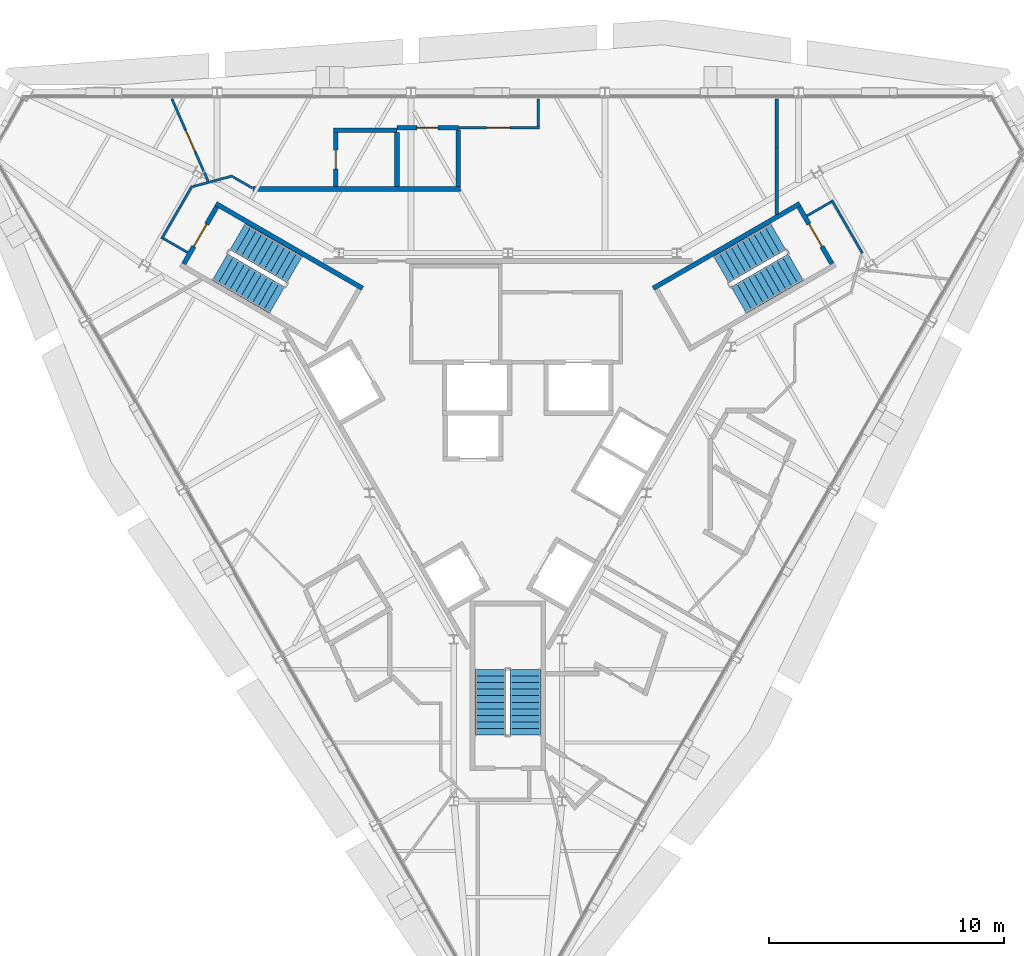
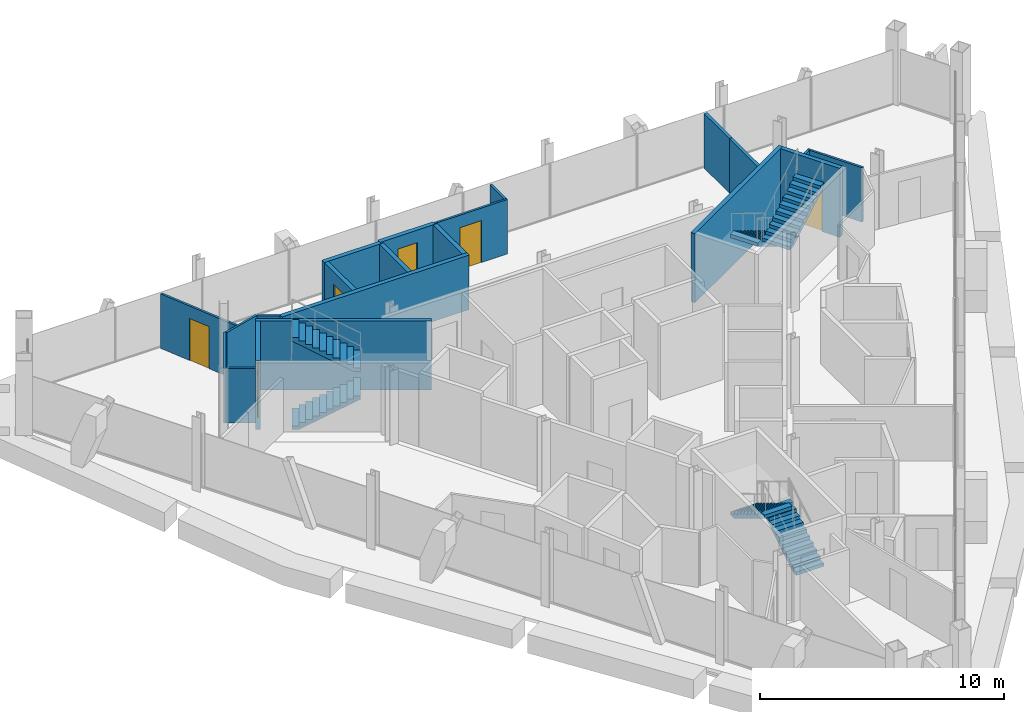
# One storey, part 10 of 12: 21 walls, 6 doors, 6 stair flights, 6 openings, 3 elements without a shape of their own.
"""IFC4 building model written with IfcOpenShell, lengths in metres."""

from ifc_helpers import new_model, si_unit, direction, frame, frame_2d, origin, place, context, subcontext, project, spatial, polyline, rectangle, outline, extrude, material, layer, layer_set, type_object, element, fill, aggregate, save


model = new_model("IFC4")

# Units and contexts
model_context = context("Model", 3, precision=1e-05, world=origin(), true_north=direction((0.0, 1.0)))
body_context = subcontext(model_context, "Body", "Model", "MODEL_VIEW")
ifc_project = project(units=[si_unit("LENGTHUNIT", "METRE"), si_unit("AREAUNIT", "SQUARE_METRE"), si_unit("VOLUMEUNIT", "CUBIC_METRE"), si_unit("PLANEANGLEUNIT", "RADIAN"), si_unit("MASSUNIT", "GRAM", prefix="KILO")], contexts=[model_context])

# Site, building, storey
site_placement = place(None, origin())
site = spatial("IfcSite", under=ifc_project, at=site_placement, CompositionType="ELEMENT")
building_placement = place(site_placement, origin())
building = spatial("IfcBuilding", under=site, at=building_placement, Name="Verrane Prism Tower", CompositionType="ELEMENT")
storey_placement = place(building_placement, frame((0.0, 0.0, 271.39990234375)))
storey = spatial("IfcBuildingStorey", under=building, at=storey_placement, Name="L68", CompositionType="ELEMENT", Elevation=271.39990234375)

# Wall, opening, door
ifc_material_1 = material(Name="Concrete C40/50", Category="concrete")
ifc_layer_1 = layer(ifc_material_1, 0.199951171875)
ifc_layer_set_1 = layer_set([ifc_layer_1], Name="CW-200 stair core wall concrete C40/50 3 h")
wall_type_1 = type_object("IfcWallType", Name="CW-200 stair core wall concrete C40/50 3 h", PredefinedType="PARTITIONING", material=ifc_layer_set_1)
wall_1_placement = place(storey_placement, frame((13.777099609375, 6.337646484375, 0.0), z_axis=(0.0, 0.0, 1.0), x_axis=(-0.500049511043, 0.865996816683, 0.0)))
wall_1 = element("IfcWall", 1, at=wall_1_placement, inside=storey, type_object=wall_type_1, Name="Stair 1 enclosure wall", PredefinedType="PARTITIONING", context=body_context, shape_type="SweptSolid", body=[
    extrude(rectangle(XDim=2.800048828125, YDim=0.199951171875, at=frame_2d((1.39990234375, 0.0))), origin(), (0.0, 0.0, 1.0), 3.4501953125),
])
opening_1_placement = place(wall_1_placement, frame((0.849853515625, 0.0, 0.0)))
opening_1 = element("IfcOpeningElement", 2, at=opening_1_placement, cuts=wall_1, Name="Opening D66500", PredefinedType="OPENING", context=body_context, shape_type="SweptSolid", body=[
    extrude(rectangle(XDim=1.10009765625, YDim=2.10009765625, at=frame_2d((0.550048828125, 1.050048828125))), frame((0.0, 0.10986328125, 0.0), z_axis=(0.0, -1.0, 0.0), x_axis=(1.0, 0.0, 0.0)), (0.0, 0.0, 1.0), 0.219970703125),
])
ifc_material_2 = material(Name="Timber veneered door leaf", Category="wood")
door_type_1 = type_object("IfcDoorType", Name="DR-1100x2100 FD90 single leaf stair", OperationType="NOTDEFINED", PredefinedType="DOOR", material=ifc_material_2)
door_1_placement = place(opening_1_placement, origin())
door_1 = element("IfcDoor", 3, at=door_1_placement, inside=storey, type_object=door_type_1, Name="Stair 1 door", OperationType="SINGLE_SWING_LEFT", OverallHeight=2.10009765625, OverallWidth=1.10009765625, PredefinedType="DOOR", context=body_context, shape_type="SweptSolid", body=[
    extrude(rectangle(XDim=1.10009765625, YDim=2.10009765625, at=frame_2d((0.550048828125, 1.050048828125))), frame((0.0, 0.02490234375, 0.0), z_axis=(0.0, -1.0, 0.0), x_axis=(1.0, 0.0, 0.0)), (0.0, 0.0, 1.0), 0.050048828125),
])
fill(opening_1, door_1)

# Wall
wall_2_placement = place(storey_placement, frame((6.17822265625, 5.299072265625, 0.0), z_axis=(0.0, 0.0, 1.0), x_axis=(0.866033125095, 0.499986626058, 0.0)))
element("IfcWall", 4, at=wall_2_placement, inside=storey, type_object=wall_type_1, Name="Stair 1 enclosure wall", PredefinedType="PARTITIONING", context=body_context, shape_type="SweptSolid", body=[
    extrude(rectangle(XDim=7.199951171875, YDim=0.199951171875, at=frame_2d((3.60009765625, 0.0))), origin(), (0.0, 0.0, 1.0), 3.4501953125),
])

# Wall, opening, door
wall_3_placement = place(storey_placement, frame((-12.376953125, 8.762451171875, 0.0), z_axis=(0.0, 0.0, 1.0), x_axis=(-0.500049511043, -0.865996816683, 0.0)))
wall_3 = element("IfcWall", 5, at=wall_3_placement, inside=storey, type_object=wall_type_1, Name="Stair 2 enclosure wall", PredefinedType="PARTITIONING", context=body_context, shape_type="SweptSolid", body=[
    extrude(rectangle(XDim=2.800048828125, YDim=0.199951171875, at=frame_2d((1.39990234375, 0.0))), origin(), (0.0, 0.0, 1.0), 3.4501953125),
])
opening_2_placement = place(wall_3_placement, frame((0.849853515625, 0.0, 0.0)))
opening_2 = element("IfcOpeningElement", 6, at=opening_2_placement, cuts=wall_3, Name="Opening D66501", PredefinedType="OPENING", context=body_context, shape_type="SweptSolid", body=[
    extrude(rectangle(XDim=1.10009765625, YDim=2.10009765625, at=frame_2d((0.550048828125, 1.050048828125))), frame((0.0, 0.10986328125, 0.0), z_axis=(0.0, -1.0, 0.0), x_axis=(1.0, 0.0, 0.0)), (0.0, 0.0, 1.0), 0.219970703125),
])
door_2_placement = place(opening_2_placement, origin())
door_2 = element("IfcDoor", 7, at=door_2_placement, inside=storey, type_object=door_type_1, Name="Stair 2 door", OperationType="SINGLE_SWING_RIGHT", OverallHeight=2.10009765625, OverallWidth=1.10009765625, PredefinedType="DOOR", context=body_context, shape_type="SweptSolid", body=[
    extrude(rectangle(XDim=1.10009765625, YDim=2.10009765625, at=frame_2d((0.550048828125, 1.050048828125))), frame((0.0, 0.02490234375, 0.0), z_axis=(0.0, -1.0, 0.0), x_axis=(1.0, 0.0, 0.0)), (0.0, 0.0, 1.0), 0.050048828125),
])
fill(opening_2, door_2)

# Walls
wall_4_placement = place(storey_placement, frame((-6.17822265625, 5.299072265625, 0.0), z_axis=(0.0, 0.0, 1.0), x_axis=(-0.866033125095, 0.499986626058, 0.0)))
element("IfcWall", 8, at=wall_4_placement, inside=storey, type_object=wall_type_1, Name="Stair 2 enclosure wall", PredefinedType="PARTITIONING", context=body_context, shape_type="SweptSolid", body=[
    extrude(rectangle(XDim=7.199951171875, YDim=0.199951171875, at=frame_2d((3.60009765625, 0.0))), origin(), (0.0, 0.0, 1.0), 3.4501953125),
])
ifc_material_3 = material(Name="Gypsum board partition", Category="other")
ifc_layer_2 = layer(ifc_material_3, 0.10009765625)
ifc_layer_set_2 = layer_set([ifc_layer_2], Name="PW-100 room partition")
wall_type_2 = type_object("IfcWallType", Name="PW-100 room partition", PredefinedType="PARTITIONING", material=ifc_layer_set_2)
wall_5_placement = place(storey_placement, frame((-14.652587890625, 7.4208984375, 0.0), z_axis=(0.0, 0.0, 1.0), x_axis=(0.865941482684, -0.500145327446, 0.0)))
element("IfcWall", 9, at=wall_5_placement, inside=storey, type_object=wall_type_2, Name="Room partition 003", PredefinedType="PARTITIONING", context=body_context, shape_type="SweptSolid", body=[
    extrude(rectangle(XDim=1.199462890625, YDim=0.10009765625, at=frame_2d((0.599609375, 0.0))), origin(), (0.0, 0.0, 1.0), 2.72314453125),
])
wall_6_placement = place(storey_placement, frame((-14.720947265625, 7.402587890625, 0.0), z_axis=(0.0, 0.0, 1.0), x_axis=(0.500006934395, 0.866021400173, 0.0)))
element("IfcWall", 10, at=wall_6_placement, inside=storey, type_object=wall_type_2, Name="Room partition 004", PredefinedType="PARTITIONING", context=body_context, shape_type="SweptSolid", body=[
    extrude(rectangle(XDim=2.60009765625, YDim=0.10009765625, at=frame_2d((1.300048828125, 0.0))), origin(), (0.0, 0.0, 1.0), 2.72314453125),
])

# Wall, opening, door
wall_7_placement = place(storey_placement, frame((-12.74658203125, 9.857421875, 0.0), z_axis=(0.0, 0.0, 1.0), x_axis=(-0.402509649346, 0.91541574281, 0.0)))
wall_7 = element("IfcWall", 11, at=wall_7_placement, inside=storey, type_object=wall_type_2, Name="Room partition 005", PredefinedType="PARTITIONING", context=body_context, shape_type="SweptSolid", body=[
    extrude(rectangle(XDim=3.82373046875, YDim=0.10009765625, at=frame_2d((1.911865234375, 0.0))), origin(), (0.0, 0.0, 1.0), 2.72314453125),
])
opening_3_placement = place(wall_7_placement, frame((1.357421875, 0.0, 0.0)))
opening_3 = element("IfcOpeningElement", 12, at=opening_3_placement, cuts=wall_7, Name="Opening D66012", PredefinedType="OPENING", context=body_context, shape_type="SweptSolid", body=[
    extrude(rectangle(XDim=1.0, YDim=2.10009765625, at=frame_2d((0.5, 1.050048828125))), frame((0.0, 0.06005859375, 0.0), z_axis=(0.0, -1.0, 0.0), x_axis=(1.0, 0.0, 0.0)), (0.0, 0.0, 1.0), 0.1201171875),
])
ifc_material_4 = material(Name="Timber veneered door leaf", Category="wood")
door_type_2 = type_object("IfcDoorType", Name="DR-1000x2100 single leaf inner", OperationType="NOTDEFINED", PredefinedType="DOOR", material=ifc_material_4)
door_3_placement = place(opening_3_placement, origin())
door_3 = element("IfcDoor", 13, at=door_3_placement, inside=storey, type_object=door_type_2, Name="Living And Dining Room door", OperationType="SINGLE_SWING_LEFT", OverallHeight=2.10009765625, OverallWidth=1.0, PredefinedType="DOOR", context=body_context, shape_type="SweptSolid", body=[
    extrude(rectangle(XDim=1.0, YDim=2.10009765625, at=frame_2d((0.5, 1.050048828125))), frame((0.0, 0.02490234375, 0.0), z_axis=(0.0, -1.0, 0.0), x_axis=(1.0, 0.0, 0.0)), (0.0, 0.0, 1.0), 0.050048828125),
])
fill(opening_3, door_3)

# Walls
wall_8_placement = place(storey_placement, frame((-13.37841796875, 9.629150390625, 0.0), z_axis=(0.0, 0.0, 1.0), x_axis=(0.966007272337, 0.258514892785, 0.0)))
element("IfcWall", 14, at=wall_8_placement, inside=storey, type_object=wall_type_2, Name="Room partition 006", PredefinedType="PARTITIONING", context=body_context, shape_type="SweptSolid", body=[
    extrude(rectangle(XDim=1.7470703125, YDim=0.10009765625, at=frame_2d((0.87353515625, 0.0))), origin(), (0.0, 0.0, 1.0), 2.72314453125),
])
wall_9_placement = place(storey_placement, frame((-11.678466796875, 10.032958984375, 0.0), z_axis=(0.0, 0.0, 1.0), x_axis=(0.866116627388, -0.499841962787, 0.0)))
element("IfcWall", 15, at=wall_9_placement, inside=storey, type_object=wall_type_2, Name="Room partition 008", PredefinedType="PARTITIONING", context=body_context, shape_type="SweptSolid", body=[
    extrude(rectangle(XDim=0.943115234375, YDim=0.10009765625, at=frame_2d((0.4716796875, 0.0))), origin(), (0.0, 0.0, 1.0), 2.72314453125),
])

# Wall, opening, door
wall_10_placement = place(storey_placement, frame((-2.10888671875, 12.118896484375, 0.0), z_axis=(0.0, 0.0, 1.0), x_axis=(1.0, 0.0, 0.0)))
wall_10 = element("IfcWall", 16, at=wall_10_placement, inside=storey, type_object=wall_type_2, Name="Room partition 028", PredefinedType="PARTITIONING", context=body_context, shape_type="SweptSolid", body=[
    extrude(rectangle(XDim=3.44482421875, YDim=0.10009765625, at=frame_2d((1.722412109375, 0.0))), origin(), (0.0, 0.0, 1.0), 2.72314453125),
])
opening_4_placement = place(wall_10_placement, frame((1.199951171875, 0.0, 0.0)))
opening_4 = element("IfcOpeningElement", 17, at=opening_4_placement, cuts=wall_10, Name="Opening D66010", PredefinedType="OPENING", context=body_context, shape_type="SweptSolid", body=[
    extrude(rectangle(XDim=1.0, YDim=2.10009765625, at=frame_2d((0.5, 1.050048828125))), frame((0.0, 0.06005859375, 0.0), z_axis=(0.0, -1.0, 0.0), x_axis=(1.0, 0.0, 0.0)), (0.0, 0.0, 1.0), 0.1201171875),
])
door_4_placement = place(opening_4_placement, origin())
door_4 = element("IfcDoor", 18, at=door_4_placement, inside=storey, type_object=door_type_2, Name="Entrance Foyer door", OperationType="SINGLE_SWING_RIGHT", OverallHeight=2.10009765625, OverallWidth=1.0, PredefinedType="DOOR", context=body_context, shape_type="SweptSolid", body=[
    extrude(rectangle(XDim=1.0, YDim=2.10009765625, at=frame_2d((0.5, 1.050048828125))), frame((0.0, 0.02490234375, 0.0), z_axis=(0.0, -1.0, 0.0), x_axis=(1.0, 0.0, 0.0)), (0.0, 0.0, 1.0), 0.050048828125),
])
fill(opening_4, door_4)

# Walls
wall_11_placement = place(storey_placement, frame((1.285888671875, 12.1689453125, 0.0), z_axis=(0.0, 0.0, 1.0), x_axis=(0.0, 1.0, 0.0)))
element("IfcWall", 19, at=wall_11_placement, inside=storey, type_object=wall_type_2, Name="Room partition 032", PredefinedType="PARTITIONING", context=body_context, shape_type="SweptSolid", body=[
    extrude(rectangle(XDim=1.18212890625, YDim=0.10009765625, at=frame_2d((0.591064453125, 0.0))), origin(), (0.0, 0.0, 1.0), 2.72314453125),
])
wall_12_placement = place(storey_placement, frame((12.714111328125, 8.37890625, 0.0), z_axis=(0.0, 0.0, 1.0), x_axis=(0.86585331735, 0.500297944063, 0.0)))
element("IfcWall", 20, at=wall_12_placement, inside=storey, type_object=wall_type_2, Name="Room partition 058", PredefinedType="PARTITIONING", context=body_context, shape_type="SweptSolid", body=[
    extrude(rectangle(XDim=1.199462890625, YDim=0.10009765625, at=frame_2d((0.599609375, 0.0))), origin(), (0.0, 0.0, 1.0), 2.72314453125),
])
wall_13_placement = place(storey_placement, frame((13.77099609375, 9.04736328125, 0.0), z_axis=(0.0, 0.0, 1.0), x_axis=(0.500006934395, -0.866021400173, 0.0)))
element("IfcWall", 21, at=wall_13_placement, inside=storey, type_object=wall_type_2, Name="Room partition 059", PredefinedType="PARTITIONING", context=body_context, shape_type="SweptSolid", body=[
    extrude(rectangle(XDim=2.60009765625, YDim=0.10009765625, at=frame_2d((1.300048828125, 0.0))), origin(), (0.0, 0.0, 1.0), 2.72314453125),
])
ifc_material_5 = material(Name="Gypsum board partition", Category="other")
ifc_layer_3 = layer(ifc_material_5, 0.14990234375)
ifc_layer_set_3 = layer_set([ifc_layer_3], Name="PW-150 demising wall 1 h")
wall_type_3 = type_object("IfcWallType", Name="PW-150 demising wall 1 h", PredefinedType="PARTITIONING", material=ifc_layer_set_3)
wall_14_placement = place(storey_placement, frame((11.430908203125, 8.447021484375, 0.0), z_axis=(0.0, 0.0, 1.0), x_axis=(0.0, 1.0, 0.0)))
element("IfcWall", 22, at=wall_14_placement, inside=storey, type_object=wall_type_3, Name="Demising wall 054", PredefinedType="PARTITIONING", context=body_context, shape_type="SweptSolid", body=[
    extrude(rectangle(XDim=2.837890625, YDim=0.14990234375, at=frame_2d((1.4189453125, 0.0))), origin(), (0.0, 0.0, 1.0), 2.72314453125),
])
wall_15_placement = place(storey_placement, frame((11.430908203125, 11.2900390625, 0.0), z_axis=(0.0, 0.0, 1.0), x_axis=(0.0, 1.0, 0.0)))
element("IfcWall", 23, at=wall_15_placement, inside=storey, type_object=wall_type_3, Name="Demising wall 055", PredefinedType="PARTITIONING", context=body_context, shape_type="SweptSolid", body=[
    extrude(rectangle(XDim=2.06103515625, YDim=0.14990234375, at=frame_2d((1.030517578125, 0.0))), origin(), (0.0, 0.0, 1.0), 2.72314453125),
])
ifc_material_6 = material(Name="Gypsum board partition", Category="other")
ifc_layer_4 = layer(ifc_material_6, 0.199951171875)
ifc_layer_set_4 = layer_set([ifc_layer_4], Name="PW-200 plumbing wall")
wall_type_4 = type_object("IfcWallType", Name="PW-200 plumbing wall", PredefinedType="PARTITIONING", material=ifc_layer_set_4)
wall_16_placement = place(storey_placement, frame((-10.837890625, 9.51904296875, 0.0), z_axis=(0.0, 0.0, 1.0), x_axis=(1.0, 0.0, 0.0)))
element("IfcWall", 24, at=wall_16_placement, inside=storey, type_object=wall_type_4, Name="Plumbing wall 010", PredefinedType="PARTITIONING", context=body_context, shape_type="SweptSolid", body=[
    extrude(rectangle(XDim=8.823974609375, YDim=0.199951171875, at=frame_2d((4.412109375, 0.0))), origin(), (0.0, 0.0, 1.0), 2.72314453125),
])

# Wall, opening, door
wall_17_placement = place(storey_placement, frame((-7.31396484375, 11.9189453125, 0.0), z_axis=(0.0, 0.0, 1.0), x_axis=(0.0, -1.0, 0.0)))
wall_17 = element("IfcWall", 25, at=wall_17_placement, inside=storey, type_object=wall_type_4, Name="Plumbing wall 015", PredefinedType="PARTITIONING", context=body_context, shape_type="SweptSolid", body=[
    extrude(rectangle(XDim=2.300048828125, YDim=0.199951171875, at=frame_2d((1.14990234375, 0.0))), origin(), (0.0, 0.0, 1.0), 2.72314453125),
])
opening_5_placement = place(wall_17_placement, frame((0.75, 0.0, 0.0)))
opening_5 = element("IfcOpeningElement", 26, at=opening_5_placement, cuts=wall_17, Name="Opening D66013", PredefinedType="OPENING", context=body_context, shape_type="SweptSolid", body=[
    extrude(rectangle(XDim=0.800048828125, YDim=2.10009765625, at=frame_2d((0.39990234375, 1.050048828125))), frame((0.0, 0.10986328125, 0.0), z_axis=(0.0, -1.0, 0.0), x_axis=(1.0, 0.0, 0.0)), (0.0, 0.0, 1.0), 0.219970703125),
])
ifc_material_7 = material(Name="Timber veneered door leaf", Category="wood")
door_type_3 = type_object("IfcDoorType", Name="DR-800x2100 single leaf inner", OperationType="NOTDEFINED", PredefinedType="DOOR", material=ifc_material_7)
door_5_placement = place(opening_5_placement, origin())
door_5 = element("IfcDoor", 27, at=door_5_placement, inside=storey, type_object=door_type_3, Name="Bathroom door", OperationType="SINGLE_SWING_RIGHT", OverallHeight=2.10009765625, OverallWidth=0.800048828125, PredefinedType="DOOR", context=body_context, shape_type="SweptSolid", body=[
    extrude(rectangle(XDim=0.800048828125, YDim=2.10009765625, at=frame_2d((0.39990234375, 1.050048828125))), frame((0.0, 0.02490234375, 0.0), z_axis=(0.0, -1.0, 0.0), x_axis=(1.0, 0.0, 0.0)), (0.0, 0.0, 1.0), 0.050048828125),
])
fill(opening_5, door_5)

# Walls
wall_18_placement = place(storey_placement, frame((-7.4140625, 12.01904296875, 0.0), z_axis=(0.0, 0.0, 1.0), x_axis=(1.0, 0.0, 0.0)))
element("IfcWall", 28, at=wall_18_placement, inside=storey, type_object=wall_type_4, Name="Plumbing wall 016", PredefinedType="PARTITIONING", context=body_context, shape_type="SweptSolid", body=[
    extrude(rectangle(XDim=2.699951171875, YDim=0.199951171875, at=frame_2d((1.35009765625, 0.0))), origin(), (0.0, 0.0, 1.0), 2.72314453125),
])
wall_19_placement = place(storey_placement, frame((-4.714111328125, 9.618896484375, 0.0), z_axis=(0.0, 0.0, 1.0), x_axis=(0.0, 1.0, 0.0)))
element("IfcWall", 29, at=wall_19_placement, inside=storey, type_object=wall_type_4, Name="Plumbing wall 021", PredefinedType="PARTITIONING", context=body_context, shape_type="SweptSolid", body=[
    extrude(rectangle(XDim=2.300048828125, YDim=0.199951171875, at=frame_2d((1.14990234375, 0.0))), origin(), (0.0, 0.0, 1.0), 2.72314453125),
])

# Wall, opening, door
wall_20_placement = place(storey_placement, frame((-2.10888671875, 12.118896484375, 0.0), z_axis=(0.0, 0.0, 1.0), x_axis=(-1.0, 0.0, 0.0)))
wall_20 = element("IfcWall", 30, at=wall_20_placement, inside=storey, type_object=wall_type_4, Name="Plumbing wall 022", PredefinedType="PARTITIONING", context=body_context, shape_type="SweptSolid", body=[
    extrude(rectangle(XDim=2.605224609375, YDim=0.199951171875, at=frame_2d((1.302734375, 0.0))), origin(), (0.0, 0.0, 1.0), 2.72314453125),
])
opening_6_placement = place(wall_20_placement, frame((0.85498046875, 0.0, 0.0)))
opening_6 = element("IfcOpeningElement", 31, at=opening_6_placement, cuts=wall_20, Name="Opening D66011", PredefinedType="OPENING", context=body_context, shape_type="SweptSolid", body=[
    extrude(rectangle(XDim=0.89990234375, YDim=2.10009765625, at=frame_2d((0.449951171875, 1.050048828125))), frame((0.0, 0.10986328125, 0.0), z_axis=(0.0, -1.0, 0.0), x_axis=(1.0, 0.0, 0.0)), (0.0, 0.0, 1.0), 0.219970703125),
])
ifc_material_8 = material(Name="Timber veneered door leaf", Category="wood")
door_type_4 = type_object("IfcDoorType", Name="DR-900x2100 single leaf inner", OperationType="NOTDEFINED", PredefinedType="DOOR", material=ifc_material_8)
door_6_placement = place(opening_6_placement, origin())
door_6 = element("IfcDoor", 32, at=door_6_placement, inside=storey, type_object=door_type_4, Name="Kitchen door", OperationType="SINGLE_SWING_RIGHT", OverallHeight=2.10009765625, OverallWidth=0.89990234375, PredefinedType="DOOR", context=body_context, shape_type="SweptSolid", body=[
    extrude(rectangle(XDim=0.89990234375, YDim=2.10009765625, at=frame_2d((0.449951171875, 1.050048828125))), frame((0.0, 0.02490234375, 0.0), z_axis=(0.0, -1.0, 0.0), x_axis=(1.0, 0.0, 0.0)), (0.0, 0.0, 1.0), 0.050048828125),
])
fill(opening_6, door_6)

# Wall
wall_21_placement = place(storey_placement, frame((-2.114013671875, 9.618896484375, 0.0), z_axis=(0.0, 0.0, 1.0), x_axis=(0.0, 1.0, 0.0)))
element("IfcWall", 33, at=wall_21_placement, inside=storey, type_object=wall_type_4, Name="Plumbing wall 027", PredefinedType="PARTITIONING", context=body_context, shape_type="SweptSolid", body=[
    extrude(rectangle(XDim=2.400146484375, YDim=0.199951171875, at=frame_2d((1.2001953125, 0.0))), origin(), (0.0, 0.0, 1.0), 2.72314453125),
])

# Stair, stair flights
ifc_material_9 = material(Name="Concrete C40/50", Category="concrete")
stair_type = type_object("IfcStairType", Name="Exit stair 1300 dog-leg precast concrete C40/50", PredefinedType="HALF_TURN_STAIR", material=ifc_material_9)
stair_1_placement = place(storey_placement, origin())
stair_1 = element("IfcStair", 34, at=stair_1_placement, inside=storey, type_object=stair_type, Name="Stair 1 L68", PredefinedType="HALF_TURN_STAIR")
ifc_material_10 = material(Name="Concrete C40/50", Category="concrete")
stair_flight_type = type_object("IfcStairFlightType", Name="Stair flight 1300 precast concrete C40/50", PredefinedType="STRAIGHT", material=ifc_material_10)
stair_flight_1_placement = place(storey_placement, frame((11.489501953125, 7.49951171875, 0.0), z_axis=(0.0, 0.0, 1.0), x_axis=(-0.866025403784, -0.5, 0.0)))
stair_flight_1 = element("IfcStairFlight", 35, at=stair_flight_1_placement, type_object=stair_flight_type, Name="Stair 1 flight 1", NumberOfRisers=11, NumberOfTreads=10, PredefinedType="STRAIGHT", RiserHeight=0.168181818, TreadLength=0.28, context=body_context, shape_type="SweptSolid", body=[
    extrude(outline(polyline([(0.0, 0.0), (0.0, 0.168212890625), (0.280029296875, 0.168212890625), (0.280029296875, 0.33642578125), (0.56005859375, 0.33642578125), (0.56005859375, 0.504638671875), (0.840087890625, 0.504638671875), (0.840087890625, 0.672607421875), (1.1201171875, 0.672607421875), (1.1201171875, 0.8408203125), (1.39990234375, 0.8408203125), (1.39990234375, 1.009033203125), (1.679931640625, 1.009033203125), (1.679931640625, 1.17724609375), (1.9599609375, 1.17724609375), (1.9599609375, 1.345458984375), (2.239990234375, 1.345458984375), (2.239990234375, 1.513671875), (2.52001953125, 1.513671875), (2.52001953125, 1.681884765625), (2.800048828125, 1.681884765625), (2.800048828125, 1.85009765625), (2.800048828125, 1.5068359375), (0.291015625, 0.0), (0.0, 0.0)])), frame((0.0, 0.64990234375, 0.0), z_axis=(0.0, -1.0, 0.0), x_axis=(1.0, 0.0, 0.0)), (0.0, 0.0, 1.0), 1.300048828125),
])
stair_flight_2_placement = place(storey_placement, frame((9.814697265625, 4.800537109375, 1.85009765625), z_axis=(0.0, 0.0, 1.0), x_axis=(0.866025403784, 0.5, 0.0)))
stair_flight_2 = element("IfcStairFlight", 36, at=stair_flight_2_placement, type_object=stair_flight_type, Name="Stair 1 flight 2", NumberOfRisers=11, NumberOfTreads=10, PredefinedType="STRAIGHT", RiserHeight=0.168181818, TreadLength=0.28, context=body_context, shape_type="SweptSolid", body=[
    extrude(outline(polyline([(0.0, 0.0), (0.0, 0.168212890625), (0.280029296875, 0.168212890625), (0.280029296875, 0.33642578125), (0.56005859375, 0.33642578125), (0.56005859375, 0.504638671875), (0.840087890625, 0.504638671875), (0.840087890625, 0.672607421875), (1.1201171875, 0.672607421875), (1.1201171875, 0.8408203125), (1.39990234375, 0.8408203125), (1.39990234375, 1.009033203125), (1.679931640625, 1.009033203125), (1.679931640625, 1.17724609375), (1.9599609375, 1.17724609375), (1.9599609375, 1.345458984375), (2.239990234375, 1.345458984375), (2.239990234375, 1.513671875), (2.52001953125, 1.513671875), (2.52001953125, 1.681884765625), (2.800048828125, 1.681884765625), (2.800048828125, 1.85009765625), (2.800048828125, 1.5068359375), (0.291015625, 0.0), (0.0, 0.0)])), frame((0.0, 0.64990234375, 0.0), z_axis=(0.0, -1.0, 0.0), x_axis=(1.0, 0.0, 0.0)), (0.0, 0.0, 1.0), 1.300048828125),
])
aggregate(stair_1, [stair_flight_1, stair_flight_2])

stair_2_placement = place(storey_placement, origin())
stair_2 = element("IfcStair", 37, at=stair_2_placement, inside=storey, type_object=stair_type, Name="Stair 2 L68", PredefinedType="HALF_TURN_STAIR")
stair_flight_3_placement = place(storey_placement, frame((-12.239501953125, 6.200439453125, 0.0), z_axis=(0.0, 0.0, 1.0), x_axis=(0.866025403784, -0.5, 0.0)))
stair_flight_3 = element("IfcStairFlight", 38, at=stair_flight_3_placement, type_object=stair_flight_type, Name="Stair 2 flight 1", NumberOfRisers=11, NumberOfTreads=10, PredefinedType="STRAIGHT", RiserHeight=0.168181818, TreadLength=0.28, context=body_context, shape_type="SweptSolid", body=[
    extrude(outline(polyline([(0.0, 0.0), (0.0, 0.168212890625), (0.280029296875, 0.168212890625), (0.280029296875, 0.33642578125), (0.56005859375, 0.33642578125), (0.56005859375, 0.504638671875), (0.840087890625, 0.504638671875), (0.840087890625, 0.672607421875), (1.1201171875, 0.672607421875), (1.1201171875, 0.8408203125), (1.39990234375, 0.8408203125), (1.39990234375, 1.009033203125), (1.679931640625, 1.009033203125), (1.679931640625, 1.17724609375), (1.9599609375, 1.17724609375), (1.9599609375, 1.345458984375), (2.239990234375, 1.345458984375), (2.239990234375, 1.513671875), (2.52001953125, 1.513671875), (2.52001953125, 1.681884765625), (2.800048828125, 1.681884765625), (2.800048828125, 1.85009765625), (2.800048828125, 1.5068359375), (0.291015625, 0.0), (0.0, 0.0)])), frame((0.0, 0.64990234375, 0.0), z_axis=(0.0, -1.0, 0.0), x_axis=(1.0, 0.0, 0.0)), (0.0, 0.0, 1.0), 1.300048828125),
])
stair_flight_4_placement = place(storey_placement, frame((-9.064697265625, 6.099609375, 1.85009765625), z_axis=(0.0, 0.0, 1.0), x_axis=(-0.866025403784, 0.5, 0.0)))
stair_flight_4 = element("IfcStairFlight", 39, at=stair_flight_4_placement, type_object=stair_flight_type, Name="Stair 2 flight 2", NumberOfRisers=11, NumberOfTreads=10, PredefinedType="STRAIGHT", RiserHeight=0.168181818, TreadLength=0.28, context=body_context, shape_type="SweptSolid", body=[
    extrude(outline(polyline([(0.0, 0.0), (0.0, 0.168212890625), (0.280029296875, 0.168212890625), (0.280029296875, 0.33642578125), (0.56005859375, 0.33642578125), (0.56005859375, 0.504638671875), (0.840087890625, 0.504638671875), (0.840087890625, 0.672607421875), (1.1201171875, 0.672607421875), (1.1201171875, 0.8408203125), (1.39990234375, 0.8408203125), (1.39990234375, 1.009033203125), (1.679931640625, 1.009033203125), (1.679931640625, 1.17724609375), (1.9599609375, 1.17724609375), (1.9599609375, 1.345458984375), (2.239990234375, 1.345458984375), (2.239990234375, 1.513671875), (2.52001953125, 1.513671875), (2.52001953125, 1.681884765625), (2.800048828125, 1.681884765625), (2.800048828125, 1.85009765625), (2.800048828125, 1.5068359375), (0.291015625, 0.0), (0.0, 0.0)])), frame((0.0, 0.64990234375, 0.0), z_axis=(0.0, -1.0, 0.0), x_axis=(1.0, 0.0, 0.0)), (0.0, 0.0, 1.0), 1.300048828125),
])
aggregate(stair_2, [stair_flight_3, stair_flight_4])

stair_3_placement = place(storey_placement, origin())
stair_3 = element("IfcStair", 40, at=stair_3_placement, inside=storey, type_object=stair_type, Name="Stair 3 L68", PredefinedType="HALF_TURN_STAIR")
stair_flight_5_placement = place(storey_placement, frame((0.75, -13.699951171875, 0.0), z_axis=(0.0, 0.0, 1.0), x_axis=(0.0, 1.0, 0.0)))
stair_flight_5 = element("IfcStairFlight", 41, at=stair_flight_5_placement, type_object=stair_flight_type, Name="Stair 3 flight 1", NumberOfRisers=11, NumberOfTreads=10, PredefinedType="STRAIGHT", RiserHeight=0.168181818, TreadLength=0.28, context=body_context, shape_type="SweptSolid", body=[
    extrude(outline(polyline([(0.0, 0.0), (0.0, 0.168212890625), (0.280029296875, 0.168212890625), (0.280029296875, 0.33642578125), (0.56005859375, 0.33642578125), (0.56005859375, 0.504638671875), (0.840087890625, 0.504638671875), (0.840087890625, 0.672607421875), (1.1201171875, 0.672607421875), (1.1201171875, 0.8408203125), (1.39990234375, 0.8408203125), (1.39990234375, 1.009033203125), (1.679931640625, 1.009033203125), (1.679931640625, 1.17724609375), (1.9599609375, 1.17724609375), (1.9599609375, 1.345458984375), (2.239990234375, 1.345458984375), (2.239990234375, 1.513671875), (2.52001953125, 1.513671875), (2.52001953125, 1.681884765625), (2.800048828125, 1.681884765625), (2.800048828125, 1.85009765625), (2.800048828125, 1.5068359375), (0.291015625, 0.0), (0.0, 0.0)])), frame((0.0, 0.64990234375, 0.0), z_axis=(0.0, -1.0, 0.0), x_axis=(1.0, 0.0, 0.0)), (0.0, 0.0, 1.0), 1.300048828125),
])
stair_flight_6_placement = place(storey_placement, frame((-0.75, -10.89990234375, 1.85009765625), z_axis=(0.0, 0.0, 1.0), x_axis=(0.0, -1.0, 0.0)))
stair_flight_6 = element("IfcStairFlight", 42, at=stair_flight_6_placement, type_object=stair_flight_type, Name="Stair 3 flight 2", NumberOfRisers=11, NumberOfTreads=10, PredefinedType="STRAIGHT", RiserHeight=0.168181818, TreadLength=0.28, context=body_context, shape_type="SweptSolid", body=[
    extrude(outline(polyline([(0.0, 0.0), (0.0, 0.168212890625), (0.280029296875, 0.168212890625), (0.280029296875, 0.33642578125), (0.56005859375, 0.33642578125), (0.56005859375, 0.504638671875), (0.840087890625, 0.504638671875), (0.840087890625, 0.672607421875), (1.1201171875, 0.672607421875), (1.1201171875, 0.8408203125), (1.39990234375, 0.8408203125), (1.39990234375, 1.009033203125), (1.679931640625, 1.009033203125), (1.679931640625, 1.17724609375), (1.9599609375, 1.17724609375), (1.9599609375, 1.345458984375), (2.239990234375, 1.345458984375), (2.239990234375, 1.513671875), (2.52001953125, 1.513671875), (2.52001953125, 1.681884765625), (2.800048828125, 1.681884765625), (2.800048828125, 1.85009765625), (2.800048828125, 1.5068359375), (0.291015625, 0.0), (0.0, 0.0)])), frame((0.0, 0.64990234375, 0.0), z_axis=(0.0, -1.0, 0.0), x_axis=(1.0, 0.0, 0.0)), (0.0, 0.0, 1.0), 1.300048828125),
])
aggregate(stair_3, [stair_flight_5, stair_flight_6])

save(model, "model.ifc")
